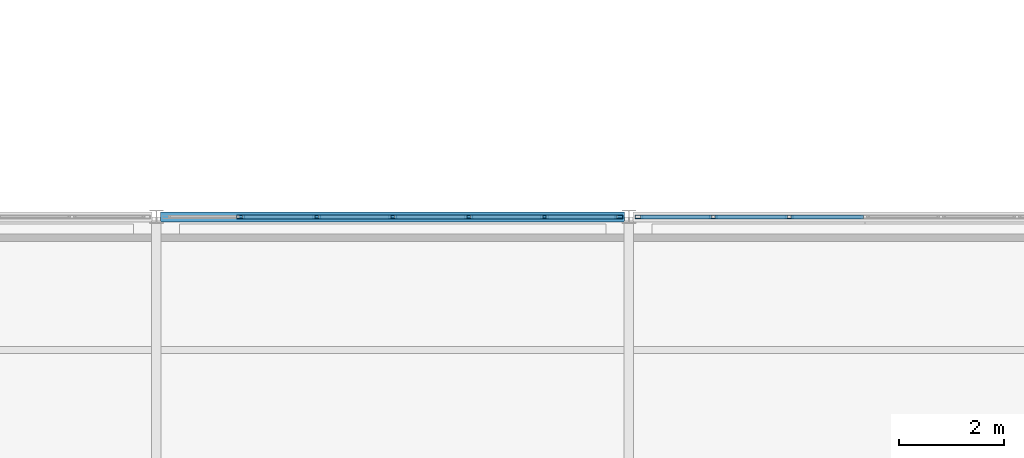
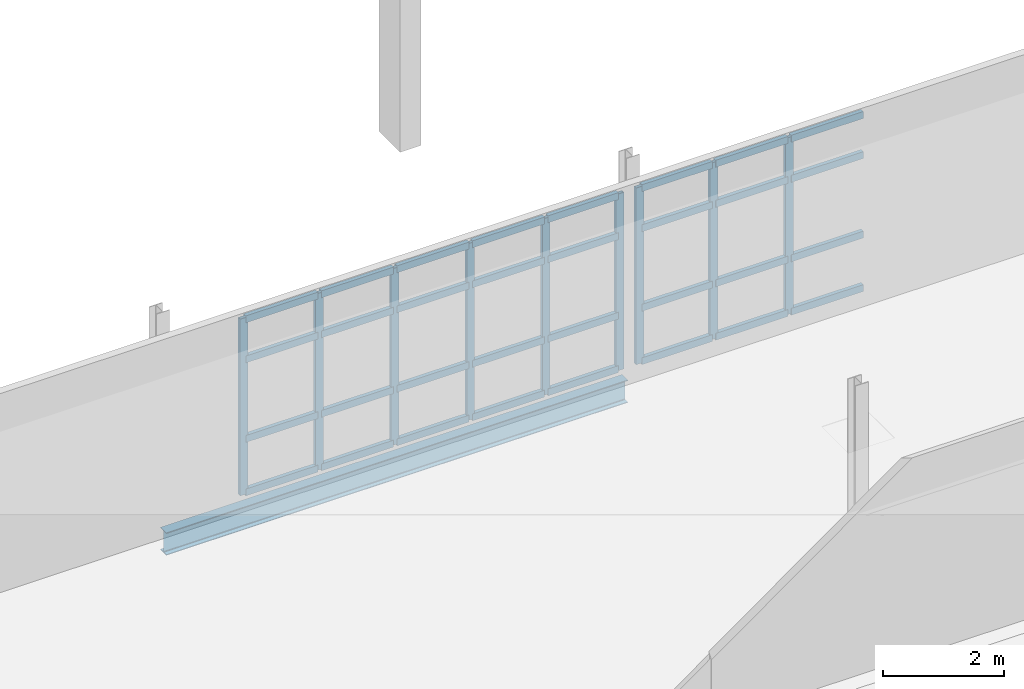
# One storey, part 95 of 166: 41 members, 1 beam, 2 elements without a shape of their own.
"""IFC4 building model written with IfcOpenShell, lengths in metres."""

from ifc_helpers import new_model, si_unit, direction, frame, origin, origin_2d, place, context, subcontext, project, spatial, hollow_rectangle, i_section, extrude, material, material_profile, profile_set, type_object, element, aggregate, save


model = new_model("IFC4")

# Units and contexts
model_context = context("Model", 3, precision=1e-05, world=origin(), true_north=direction((0.0, 1.0)))
body_context = subcontext(model_context, "Body", "Model", "MODEL_VIEW")
ifc_project = project(units=[si_unit("LENGTHUNIT", "METRE"), si_unit("AREAUNIT", "SQUARE_METRE"), si_unit("VOLUMEUNIT", "CUBIC_METRE"), si_unit("PLANEANGLEUNIT", "RADIAN"), si_unit("MASSUNIT", "GRAM", prefix="KILO")], contexts=[model_context])

# Site, building, storey
site_placement = place(None, origin())
site = spatial("IfcSite", under=ifc_project, at=site_placement, CompositionType="ELEMENT")
building_placement = place(site_placement, origin())
building = spatial("IfcBuilding", under=site, at=building_placement, Name="Caisbarro Railhouse Central Library", CompositionType="ELEMENT")
storey_placement = place(building_placement, frame((0.0, 0.0, 9.360107421875)))
storey = spatial("IfcBuildingStorey", under=building, at=storey_placement, Name="L02", CompositionType="ELEMENT", Elevation=9.360107421875)

# Beam
ifc_material_1 = material(Name="Steel ASTM A572 Grade 50", Category="steel")
ifc_material_profile_1 = material_profile(ifc_material_1, i_section(OverallWidth=0.18994140625, OverallDepth=0.45703125, WebThickness=0.009033203125, FlangeThickness=0.014404296875, FilletRadius=0.01806640625, at=origin_2d()), Name="W460X74.0")
ifc_profile_set_1 = profile_set([ifc_material_profile_1], Name="Steel ASTM A572 Grade 50")
beam_type = type_object("IfcBeamType", Name="BM-SP01", PredefinedType="SPANDREL", material=ifc_profile_set_1)
beam_placement = place(storey_placement, frame((63.080078125, 106.39990234375, -0.4287109375), z_axis=(1.0, 0.0, 0.0), x_axis=(0.0, 1.0, 0.0)))
element("IfcBeam", 1, at=beam_placement, inside=storey, type_object=beam_type, Name="SP01 beam L02 #1668", PredefinedType="SPANDREL", context=body_context, shape_type="SweptSolid", body=[
    extrude(i_section(OverallWidth=0.18994140625, OverallDepth=0.45703125, WebThickness=0.009033203125, FlangeThickness=0.014404296875, FilletRadius=0.01806640625, at=origin_2d()), origin(), (0.0, 0.0, 1.0), 8.83984375),
])

# Curtain wall, members
ifc_material_2 = material(Name="Anodised architectural aluminium", Category="aluminium")
curtain_wall_type = type_object("IfcCurtainWallType", Name="CW-CW03", PredefinedType="NOTDEFINED", material=ifc_material_2)
curtain_wall_1_placement = place(storey_placement, origin())
curtain_wall_1 = element("IfcCurtainWall", 2, at=curtain_wall_1_placement, inside=storey, type_object=curtain_wall_type, Name="CW03 curtain wall L02 #181", PredefinedType="NOTDEFINED")
ifc_material_profile_2 = material_profile(ifc_material_2, hollow_rectangle(XDim=0.06494140625, YDim=0.14990234375, WallThickness=0.00390625, at=origin_2d()), Name="ALU-MUL-65X150")
ifc_profile_set_2 = profile_set([ifc_material_profile_2], Name="Anodised architectural aluminium")
member_type_1 = type_object("IfcMemberType", Name="CWM-M02", PredefinedType="MULLION", material=ifc_profile_set_2)
member_1_placement = place(storey_placement, frame((64.606689453125, 106.39990234375, 0.0), z_axis=(0.0, 0.0, 1.0), x_axis=(0.0, 1.0, 0.0)))
member_1 = element("IfcMember", 3, at=member_1_placement, type_object=member_type_1, Name="CW03 mullion 2", PredefinedType="MULLION", context=body_context, shape_type="SweptSolid", body=[
    extrude(hollow_rectangle(XDim=0.06494140625, YDim=0.14990234375, WallThickness=0.00390625, at=origin_2d()), origin(), (0.0, 0.0, 1.0), 3.579833984375),
])
member_2_placement = place(storey_placement, frame((66.05322265625, 106.39990234375, 0.0), z_axis=(0.0, 0.0, 1.0), x_axis=(0.0, 1.0, 0.0)))
member_2 = element("IfcMember", 4, at=member_2_placement, type_object=member_type_1, Name="CW03 mullion 3", PredefinedType="MULLION", context=body_context, shape_type="SweptSolid", body=[
    extrude(hollow_rectangle(XDim=0.06494140625, YDim=0.14990234375, WallThickness=0.00390625, at=origin_2d()), origin(), (0.0, 0.0, 1.0), 3.579833984375),
])
member_3_placement = place(storey_placement, frame((67.5, 106.39990234375, 0.0), z_axis=(0.0, 0.0, 1.0), x_axis=(0.0, 1.0, 0.0)))
member_3 = element("IfcMember", 5, at=member_3_placement, type_object=member_type_1, Name="CW03 mullion 4", PredefinedType="MULLION", context=body_context, shape_type="SweptSolid", body=[
    extrude(hollow_rectangle(XDim=0.06494140625, YDim=0.14990234375, WallThickness=0.00390625, at=origin_2d()), origin(), (0.0, 0.0, 1.0), 3.579833984375),
])
member_4_placement = place(storey_placement, frame((68.94677734375, 106.39990234375, 0.0), z_axis=(0.0, 0.0, 1.0), x_axis=(0.0, 1.0, 0.0)))
member_4 = element("IfcMember", 6, at=member_4_placement, type_object=member_type_1, Name="CW03 mullion 5", PredefinedType="MULLION", context=body_context, shape_type="SweptSolid", body=[
    extrude(hollow_rectangle(XDim=0.06494140625, YDim=0.14990234375, WallThickness=0.00390625, at=origin_2d()), origin(), (0.0, 0.0, 1.0), 3.579833984375),
])
member_5_placement = place(storey_placement, frame((70.393310546875, 106.39990234375, 0.0), z_axis=(0.0, 0.0, 1.0), x_axis=(0.0, 1.0, 0.0)))
member_5 = element("IfcMember", 7, at=member_5_placement, type_object=member_type_1, Name="CW03 mullion 6", PredefinedType="MULLION", context=body_context, shape_type="SweptSolid", body=[
    extrude(hollow_rectangle(XDim=0.06494140625, YDim=0.14990234375, WallThickness=0.00390625, at=origin_2d()), origin(), (0.0, 0.0, 1.0), 3.579833984375),
])
member_6_placement = place(storey_placement, frame((71.8076171875, 106.39990234375, 0.0), z_axis=(0.0, 0.0, 1.0), x_axis=(0.0, 1.0, 0.0)))
member_6 = element("IfcMember", 8, at=member_6_placement, type_object=member_type_1, Name="CW03 mullion 7", PredefinedType="MULLION", context=body_context, shape_type="SweptSolid", body=[
    extrude(hollow_rectangle(XDim=0.06494140625, YDim=0.14990234375, WallThickness=0.00390625, at=origin_2d()), origin(), (0.0, 0.0, 1.0), 3.579833984375),
])

curtain_wall_2_placement = place(storey_placement, origin())
curtain_wall_2 = element("IfcCurtainWall", 9, at=curtain_wall_2_placement, inside=storey, type_object=curtain_wall_type, Name="CW03 curtain wall L02 #183", PredefinedType="NOTDEFINED")
member_7_placement = place(storey_placement, frame((72.1923828125, 106.39990234375, 0.0), z_axis=(0.0, 0.0, 1.0), x_axis=(0.0, 1.0, 0.0)))
member_7 = element("IfcMember", 10, at=member_7_placement, type_object=member_type_1, Name="CW03 mullion 1", PredefinedType="MULLION", context=body_context, shape_type="SweptSolid", body=[
    extrude(hollow_rectangle(XDim=0.06494140625, YDim=0.14990234375, WallThickness=0.00390625, at=origin_2d()), origin(), (0.0, 0.0, 1.0), 3.579833984375),
])
member_8_placement = place(storey_placement, frame((73.606689453125, 106.39990234375, 0.0), z_axis=(0.0, 0.0, 1.0), x_axis=(0.0, 1.0, 0.0)))
member_8 = element("IfcMember", 11, at=member_8_placement, type_object=member_type_1, Name="CW03 mullion 2", PredefinedType="MULLION", context=body_context, shape_type="SweptSolid", body=[
    extrude(hollow_rectangle(XDim=0.06494140625, YDim=0.14990234375, WallThickness=0.00390625, at=origin_2d()), origin(), (0.0, 0.0, 1.0), 3.579833984375),
])
member_9_placement = place(storey_placement, frame((75.05322265625, 106.39990234375, 0.0), z_axis=(0.0, 0.0, 1.0), x_axis=(0.0, 1.0, 0.0)))
member_9 = element("IfcMember", 12, at=member_9_placement, type_object=member_type_1, Name="CW03 mullion 3", PredefinedType="MULLION", context=body_context, shape_type="SweptSolid", body=[
    extrude(hollow_rectangle(XDim=0.06494140625, YDim=0.14990234375, WallThickness=0.00390625, at=origin_2d()), origin(), (0.0, 0.0, 1.0), 3.579833984375),
])

# Member
ifc_material_profile_3 = material_profile(ifc_material_2, hollow_rectangle(XDim=0.074951171875, YDim=0.139892578125, WallThickness=0.00390625, at=origin_2d()), Name="ALU-TRN-75X140")
ifc_profile_set_3 = profile_set([ifc_material_profile_3], Name="Anodised architectural aluminium")
member_type_2 = type_object("IfcMemberType", Name="CWT-T01", PredefinedType="USERDEFINED", material=ifc_profile_set_3)
member_10_placement = place(storey_placement, frame((64.63916015625, 106.39990234375, 0.037353515625), z_axis=(1.0, 0.0, 0.0), x_axis=(0.0, 1.0, 0.0)))
member_10 = element("IfcMember", 13, at=member_10_placement, type_object=member_type_2, Name="CW03 transom 2.1", ObjectType="TRANSOM", PredefinedType="USERDEFINED", context=body_context, shape_type="SweptSolid", body=[
    extrude(hollow_rectangle(XDim=0.074951171875, YDim=0.139892578125, WallThickness=0.00390625, at=origin_2d()), origin(), (0.0, 0.0, 1.0), 1.381591796875),
])

member_11_placement = place(storey_placement, frame((64.63916015625, 106.39990234375, 1.119873046875), z_axis=(1.0, 0.0, 0.0), x_axis=(0.0, 1.0, 0.0)))
member_11 = element("IfcMember", 14, at=member_11_placement, type_object=member_type_2, Name="CW03 transom 2.2", ObjectType="TRANSOM", PredefinedType="USERDEFINED", context=body_context, shape_type="SweptSolid", body=[
    extrude(hollow_rectangle(XDim=0.074951171875, YDim=0.139892578125, WallThickness=0.00390625, at=origin_2d()), origin(), (0.0, 0.0, 1.0), 1.381591796875),
])

member_12_placement = place(storey_placement, frame((64.63916015625, 106.39990234375, 2.72998046875), z_axis=(1.0, 0.0, 0.0), x_axis=(0.0, 1.0, 0.0)))
member_12 = element("IfcMember", 15, at=member_12_placement, type_object=member_type_2, Name="CW03 transom 2.3", ObjectType="TRANSOM", PredefinedType="USERDEFINED", context=body_context, shape_type="SweptSolid", body=[
    extrude(hollow_rectangle(XDim=0.074951171875, YDim=0.139892578125, WallThickness=0.00390625, at=origin_2d()), origin(), (0.0, 0.0, 1.0), 1.381591796875),
])

member_13_placement = place(storey_placement, frame((64.63916015625, 106.39990234375, 3.54248046875), z_axis=(1.0, 0.0, 0.0), x_axis=(0.0, 1.0, 0.0)))
member_13 = element("IfcMember", 16, at=member_13_placement, type_object=member_type_2, Name="CW03 transom 2.4", ObjectType="TRANSOM", PredefinedType="USERDEFINED", context=body_context, shape_type="SweptSolid", body=[
    extrude(hollow_rectangle(XDim=0.074951171875, YDim=0.139892578125, WallThickness=0.00390625, at=origin_2d()), origin(), (0.0, 0.0, 1.0), 1.381591796875),
])

member_14_placement = place(storey_placement, frame((66.0859375, 106.39990234375, 0.037353515625), z_axis=(1.0, 0.0, 0.0), x_axis=(0.0, 1.0, 0.0)))
member_14 = element("IfcMember", 17, at=member_14_placement, type_object=member_type_2, Name="CW03 transom 3.1", ObjectType="TRANSOM", PredefinedType="USERDEFINED", context=body_context, shape_type="SweptSolid", body=[
    extrude(hollow_rectangle(XDim=0.074951171875, YDim=0.139892578125, WallThickness=0.00390625, at=origin_2d()), origin(), (0.0, 0.0, 1.0), 1.381591796875),
])

member_15_placement = place(storey_placement, frame((66.0859375, 106.39990234375, 1.119873046875), z_axis=(1.0, 0.0, 0.0), x_axis=(0.0, 1.0, 0.0)))
member_15 = element("IfcMember", 18, at=member_15_placement, type_object=member_type_2, Name="CW03 transom 3.2", ObjectType="TRANSOM", PredefinedType="USERDEFINED", context=body_context, shape_type="SweptSolid", body=[
    extrude(hollow_rectangle(XDim=0.074951171875, YDim=0.139892578125, WallThickness=0.00390625, at=origin_2d()), origin(), (0.0, 0.0, 1.0), 1.381591796875),
])

member_16_placement = place(storey_placement, frame((66.0859375, 106.39990234375, 2.72998046875), z_axis=(1.0, 0.0, 0.0), x_axis=(0.0, 1.0, 0.0)))
member_16 = element("IfcMember", 19, at=member_16_placement, type_object=member_type_2, Name="CW03 transom 3.3", ObjectType="TRANSOM", PredefinedType="USERDEFINED", context=body_context, shape_type="SweptSolid", body=[
    extrude(hollow_rectangle(XDim=0.074951171875, YDim=0.139892578125, WallThickness=0.00390625, at=origin_2d()), origin(), (0.0, 0.0, 1.0), 1.381591796875),
])

member_17_placement = place(storey_placement, frame((66.0859375, 106.39990234375, 3.54248046875), z_axis=(1.0, 0.0, 0.0), x_axis=(0.0, 1.0, 0.0)))
member_17 = element("IfcMember", 20, at=member_17_placement, type_object=member_type_2, Name="CW03 transom 3.4", ObjectType="TRANSOM", PredefinedType="USERDEFINED", context=body_context, shape_type="SweptSolid", body=[
    extrude(hollow_rectangle(XDim=0.074951171875, YDim=0.139892578125, WallThickness=0.00390625, at=origin_2d()), origin(), (0.0, 0.0, 1.0), 1.381591796875),
])

member_18_placement = place(storey_placement, frame((67.532470703125, 106.39990234375, 0.037353515625), z_axis=(1.0, 0.0, 0.0), x_axis=(0.0, 1.0, 0.0)))
member_18 = element("IfcMember", 21, at=member_18_placement, type_object=member_type_2, Name="CW03 transom 4.1", ObjectType="TRANSOM", PredefinedType="USERDEFINED", context=body_context, shape_type="SweptSolid", body=[
    extrude(hollow_rectangle(XDim=0.074951171875, YDim=0.139892578125, WallThickness=0.00390625, at=origin_2d()), origin(), (0.0, 0.0, 1.0), 1.381591796875),
])

member_19_placement = place(storey_placement, frame((67.532470703125, 106.39990234375, 1.119873046875), z_axis=(1.0, 0.0, 0.0), x_axis=(0.0, 1.0, 0.0)))
member_19 = element("IfcMember", 22, at=member_19_placement, type_object=member_type_2, Name="CW03 transom 4.2", ObjectType="TRANSOM", PredefinedType="USERDEFINED", context=body_context, shape_type="SweptSolid", body=[
    extrude(hollow_rectangle(XDim=0.074951171875, YDim=0.139892578125, WallThickness=0.00390625, at=origin_2d()), origin(), (0.0, 0.0, 1.0), 1.381591796875),
])

member_20_placement = place(storey_placement, frame((67.532470703125, 106.39990234375, 2.72998046875), z_axis=(1.0, 0.0, 0.0), x_axis=(0.0, 1.0, 0.0)))
member_20 = element("IfcMember", 23, at=member_20_placement, type_object=member_type_2, Name="CW03 transom 4.3", ObjectType="TRANSOM", PredefinedType="USERDEFINED", context=body_context, shape_type="SweptSolid", body=[
    extrude(hollow_rectangle(XDim=0.074951171875, YDim=0.139892578125, WallThickness=0.00390625, at=origin_2d()), origin(), (0.0, 0.0, 1.0), 1.381591796875),
])

member_21_placement = place(storey_placement, frame((67.532470703125, 106.39990234375, 3.54248046875), z_axis=(1.0, 0.0, 0.0), x_axis=(0.0, 1.0, 0.0)))
member_21 = element("IfcMember", 24, at=member_21_placement, type_object=member_type_2, Name="CW03 transom 4.4", ObjectType="TRANSOM", PredefinedType="USERDEFINED", context=body_context, shape_type="SweptSolid", body=[
    extrude(hollow_rectangle(XDim=0.074951171875, YDim=0.139892578125, WallThickness=0.00390625, at=origin_2d()), origin(), (0.0, 0.0, 1.0), 1.381591796875),
])

member_22_placement = place(storey_placement, frame((68.979248046875, 106.39990234375, 0.037353515625), z_axis=(1.0, 0.0, 0.0), x_axis=(0.0, 1.0, 0.0)))
member_22 = element("IfcMember", 25, at=member_22_placement, type_object=member_type_2, Name="CW03 transom 5.1", ObjectType="TRANSOM", PredefinedType="USERDEFINED", context=body_context, shape_type="SweptSolid", body=[
    extrude(hollow_rectangle(XDim=0.074951171875, YDim=0.139892578125, WallThickness=0.00390625, at=origin_2d()), origin(), (0.0, 0.0, 1.0), 1.381591796875),
])

member_23_placement = place(storey_placement, frame((68.979248046875, 106.39990234375, 1.119873046875), z_axis=(1.0, 0.0, 0.0), x_axis=(0.0, 1.0, 0.0)))
member_23 = element("IfcMember", 26, at=member_23_placement, type_object=member_type_2, Name="CW03 transom 5.2", ObjectType="TRANSOM", PredefinedType="USERDEFINED", context=body_context, shape_type="SweptSolid", body=[
    extrude(hollow_rectangle(XDim=0.074951171875, YDim=0.139892578125, WallThickness=0.00390625, at=origin_2d()), origin(), (0.0, 0.0, 1.0), 1.381591796875),
])

member_24_placement = place(storey_placement, frame((68.979248046875, 106.39990234375, 2.72998046875), z_axis=(1.0, 0.0, 0.0), x_axis=(0.0, 1.0, 0.0)))
member_24 = element("IfcMember", 27, at=member_24_placement, type_object=member_type_2, Name="CW03 transom 5.3", ObjectType="TRANSOM", PredefinedType="USERDEFINED", context=body_context, shape_type="SweptSolid", body=[
    extrude(hollow_rectangle(XDim=0.074951171875, YDim=0.139892578125, WallThickness=0.00390625, at=origin_2d()), origin(), (0.0, 0.0, 1.0), 1.381591796875),
])

member_25_placement = place(storey_placement, frame((68.979248046875, 106.39990234375, 3.54248046875), z_axis=(1.0, 0.0, 0.0), x_axis=(0.0, 1.0, 0.0)))
member_25 = element("IfcMember", 28, at=member_25_placement, type_object=member_type_2, Name="CW03 transom 5.4", ObjectType="TRANSOM", PredefinedType="USERDEFINED", context=body_context, shape_type="SweptSolid", body=[
    extrude(hollow_rectangle(XDim=0.074951171875, YDim=0.139892578125, WallThickness=0.00390625, at=origin_2d()), origin(), (0.0, 0.0, 1.0), 1.381591796875),
])

member_26_placement = place(storey_placement, frame((70.42578125, 106.39990234375, 0.037353515625), z_axis=(1.0, 0.0, 0.0), x_axis=(0.0, 1.0, 0.0)))
member_26 = element("IfcMember", 29, at=member_26_placement, type_object=member_type_2, Name="CW03 transom 6.1", ObjectType="TRANSOM", PredefinedType="USERDEFINED", context=body_context, shape_type="SweptSolid", body=[
    extrude(hollow_rectangle(XDim=0.074951171875, YDim=0.139892578125, WallThickness=0.00390625, at=origin_2d()), origin(), (0.0, 0.0, 1.0), 1.34912109375),
])

member_27_placement = place(storey_placement, frame((70.42578125, 106.39990234375, 1.119873046875), z_axis=(1.0, 0.0, 0.0), x_axis=(0.0, 1.0, 0.0)))
member_27 = element("IfcMember", 30, at=member_27_placement, type_object=member_type_2, Name="CW03 transom 6.2", ObjectType="TRANSOM", PredefinedType="USERDEFINED", context=body_context, shape_type="SweptSolid", body=[
    extrude(hollow_rectangle(XDim=0.074951171875, YDim=0.139892578125, WallThickness=0.00390625, at=origin_2d()), origin(), (0.0, 0.0, 1.0), 1.34912109375),
])

member_28_placement = place(storey_placement, frame((70.42578125, 106.39990234375, 2.72998046875), z_axis=(1.0, 0.0, 0.0), x_axis=(0.0, 1.0, 0.0)))
member_28 = element("IfcMember", 31, at=member_28_placement, type_object=member_type_2, Name="CW03 transom 6.3", ObjectType="TRANSOM", PredefinedType="USERDEFINED", context=body_context, shape_type="SweptSolid", body=[
    extrude(hollow_rectangle(XDim=0.074951171875, YDim=0.139892578125, WallThickness=0.00390625, at=origin_2d()), origin(), (0.0, 0.0, 1.0), 1.34912109375),
])

member_29_placement = place(storey_placement, frame((70.42578125, 106.39990234375, 3.54248046875), z_axis=(1.0, 0.0, 0.0), x_axis=(0.0, 1.0, 0.0)))
member_29 = element("IfcMember", 32, at=member_29_placement, type_object=member_type_2, Name="CW03 transom 6.4", ObjectType="TRANSOM", PredefinedType="USERDEFINED", context=body_context, shape_type="SweptSolid", body=[
    extrude(hollow_rectangle(XDim=0.074951171875, YDim=0.139892578125, WallThickness=0.00390625, at=origin_2d()), origin(), (0.0, 0.0, 1.0), 1.34912109375),
])

aggregate(curtain_wall_1, [member_1, member_2, member_3, member_4, member_5, member_6, member_10, member_11, member_12, member_13, member_14, member_15, member_16, member_17, member_18, member_19, member_20, member_21, member_22, member_23, member_24, member_25, member_26, member_27, member_28, member_29])

member_30_placement = place(storey_placement, frame((72.22509765625, 106.39990234375, 0.037353515625), z_axis=(1.0, 0.0, 0.0), x_axis=(0.0, 1.0, 0.0)))
member_30 = element("IfcMember", 33, at=member_30_placement, type_object=member_type_2, Name="CW03 transom 1.1", ObjectType="TRANSOM", PredefinedType="USERDEFINED", context=body_context, shape_type="SweptSolid", body=[
    extrude(hollow_rectangle(XDim=0.074951171875, YDim=0.139892578125, WallThickness=0.00390625, at=origin_2d()), origin(), (0.0, 0.0, 1.0), 1.34912109375),
])

member_31_placement = place(storey_placement, frame((72.22509765625, 106.39990234375, 1.119873046875), z_axis=(1.0, 0.0, 0.0), x_axis=(0.0, 1.0, 0.0)))
member_31 = element("IfcMember", 34, at=member_31_placement, type_object=member_type_2, Name="CW03 transom 1.2", ObjectType="TRANSOM", PredefinedType="USERDEFINED", context=body_context, shape_type="SweptSolid", body=[
    extrude(hollow_rectangle(XDim=0.074951171875, YDim=0.139892578125, WallThickness=0.00390625, at=origin_2d()), origin(), (0.0, 0.0, 1.0), 1.34912109375),
])

member_32_placement = place(storey_placement, frame((72.22509765625, 106.39990234375, 2.72998046875), z_axis=(1.0, 0.0, 0.0), x_axis=(0.0, 1.0, 0.0)))
member_32 = element("IfcMember", 35, at=member_32_placement, type_object=member_type_2, Name="CW03 transom 1.3", ObjectType="TRANSOM", PredefinedType="USERDEFINED", context=body_context, shape_type="SweptSolid", body=[
    extrude(hollow_rectangle(XDim=0.074951171875, YDim=0.139892578125, WallThickness=0.00390625, at=origin_2d()), origin(), (0.0, 0.0, 1.0), 1.34912109375),
])

member_33_placement = place(storey_placement, frame((72.22509765625, 106.39990234375, 3.54248046875), z_axis=(1.0, 0.0, 0.0), x_axis=(0.0, 1.0, 0.0)))
member_33 = element("IfcMember", 36, at=member_33_placement, type_object=member_type_2, Name="CW03 transom 1.4", ObjectType="TRANSOM", PredefinedType="USERDEFINED", context=body_context, shape_type="SweptSolid", body=[
    extrude(hollow_rectangle(XDim=0.074951171875, YDim=0.139892578125, WallThickness=0.00390625, at=origin_2d()), origin(), (0.0, 0.0, 1.0), 1.34912109375),
])

member_34_placement = place(storey_placement, frame((73.63916015625, 106.39990234375, 0.037353515625), z_axis=(1.0, 0.0, 0.0), x_axis=(0.0, 1.0, 0.0)))
member_34 = element("IfcMember", 37, at=member_34_placement, type_object=member_type_2, Name="CW03 transom 2.1", ObjectType="TRANSOM", PredefinedType="USERDEFINED", context=body_context, shape_type="SweptSolid", body=[
    extrude(hollow_rectangle(XDim=0.074951171875, YDim=0.139892578125, WallThickness=0.00390625, at=origin_2d()), origin(), (0.0, 0.0, 1.0), 1.381591796875),
])

member_35_placement = place(storey_placement, frame((73.63916015625, 106.39990234375, 1.119873046875), z_axis=(1.0, 0.0, 0.0), x_axis=(0.0, 1.0, 0.0)))
member_35 = element("IfcMember", 38, at=member_35_placement, type_object=member_type_2, Name="CW03 transom 2.2", ObjectType="TRANSOM", PredefinedType="USERDEFINED", context=body_context, shape_type="SweptSolid", body=[
    extrude(hollow_rectangle(XDim=0.074951171875, YDim=0.139892578125, WallThickness=0.00390625, at=origin_2d()), origin(), (0.0, 0.0, 1.0), 1.381591796875),
])

member_36_placement = place(storey_placement, frame((73.63916015625, 106.39990234375, 2.72998046875), z_axis=(1.0, 0.0, 0.0), x_axis=(0.0, 1.0, 0.0)))
member_36 = element("IfcMember", 39, at=member_36_placement, type_object=member_type_2, Name="CW03 transom 2.3", ObjectType="TRANSOM", PredefinedType="USERDEFINED", context=body_context, shape_type="SweptSolid", body=[
    extrude(hollow_rectangle(XDim=0.074951171875, YDim=0.139892578125, WallThickness=0.00390625, at=origin_2d()), origin(), (0.0, 0.0, 1.0), 1.381591796875),
])

member_37_placement = place(storey_placement, frame((73.63916015625, 106.39990234375, 3.54248046875), z_axis=(1.0, 0.0, 0.0), x_axis=(0.0, 1.0, 0.0)))
member_37 = element("IfcMember", 40, at=member_37_placement, type_object=member_type_2, Name="CW03 transom 2.4", ObjectType="TRANSOM", PredefinedType="USERDEFINED", context=body_context, shape_type="SweptSolid", body=[
    extrude(hollow_rectangle(XDim=0.074951171875, YDim=0.139892578125, WallThickness=0.00390625, at=origin_2d()), origin(), (0.0, 0.0, 1.0), 1.381591796875),
])

member_38_placement = place(storey_placement, frame((75.0859375, 106.39990234375, 0.037353515625), z_axis=(1.0, 0.0, 0.0), x_axis=(0.0, 1.0, 0.0)))
member_38 = element("IfcMember", 41, at=member_38_placement, type_object=member_type_2, Name="CW03 transom 3.1", ObjectType="TRANSOM", PredefinedType="USERDEFINED", context=body_context, shape_type="SweptSolid", body=[
    extrude(hollow_rectangle(XDim=0.074951171875, YDim=0.139892578125, WallThickness=0.00390625, at=origin_2d()), origin(), (0.0, 0.0, 1.0), 1.381591796875),
])

member_39_placement = place(storey_placement, frame((75.0859375, 106.39990234375, 1.119873046875), z_axis=(1.0, 0.0, 0.0), x_axis=(0.0, 1.0, 0.0)))
member_39 = element("IfcMember", 42, at=member_39_placement, type_object=member_type_2, Name="CW03 transom 3.2", ObjectType="TRANSOM", PredefinedType="USERDEFINED", context=body_context, shape_type="SweptSolid", body=[
    extrude(hollow_rectangle(XDim=0.074951171875, YDim=0.139892578125, WallThickness=0.00390625, at=origin_2d()), origin(), (0.0, 0.0, 1.0), 1.381591796875),
])

member_40_placement = place(storey_placement, frame((75.0859375, 106.39990234375, 2.72998046875), z_axis=(1.0, 0.0, 0.0), x_axis=(0.0, 1.0, 0.0)))
member_40 = element("IfcMember", 43, at=member_40_placement, type_object=member_type_2, Name="CW03 transom 3.3", ObjectType="TRANSOM", PredefinedType="USERDEFINED", context=body_context, shape_type="SweptSolid", body=[
    extrude(hollow_rectangle(XDim=0.074951171875, YDim=0.139892578125, WallThickness=0.00390625, at=origin_2d()), origin(), (0.0, 0.0, 1.0), 1.381591796875),
])

member_41_placement = place(storey_placement, frame((75.0859375, 106.39990234375, 3.54248046875), z_axis=(1.0, 0.0, 0.0), x_axis=(0.0, 1.0, 0.0)))
member_41 = element("IfcMember", 44, at=member_41_placement, type_object=member_type_2, Name="CW03 transom 3.4", ObjectType="TRANSOM", PredefinedType="USERDEFINED", context=body_context, shape_type="SweptSolid", body=[
    extrude(hollow_rectangle(XDim=0.074951171875, YDim=0.139892578125, WallThickness=0.00390625, at=origin_2d()), origin(), (0.0, 0.0, 1.0), 1.381591796875),
])

aggregate(curtain_wall_2, [member_7, member_8, member_9, member_30, member_31, member_32, member_33, member_34, member_35, member_36, member_37, member_38, member_39, member_40, member_41])

save(model, "model.ifc")
